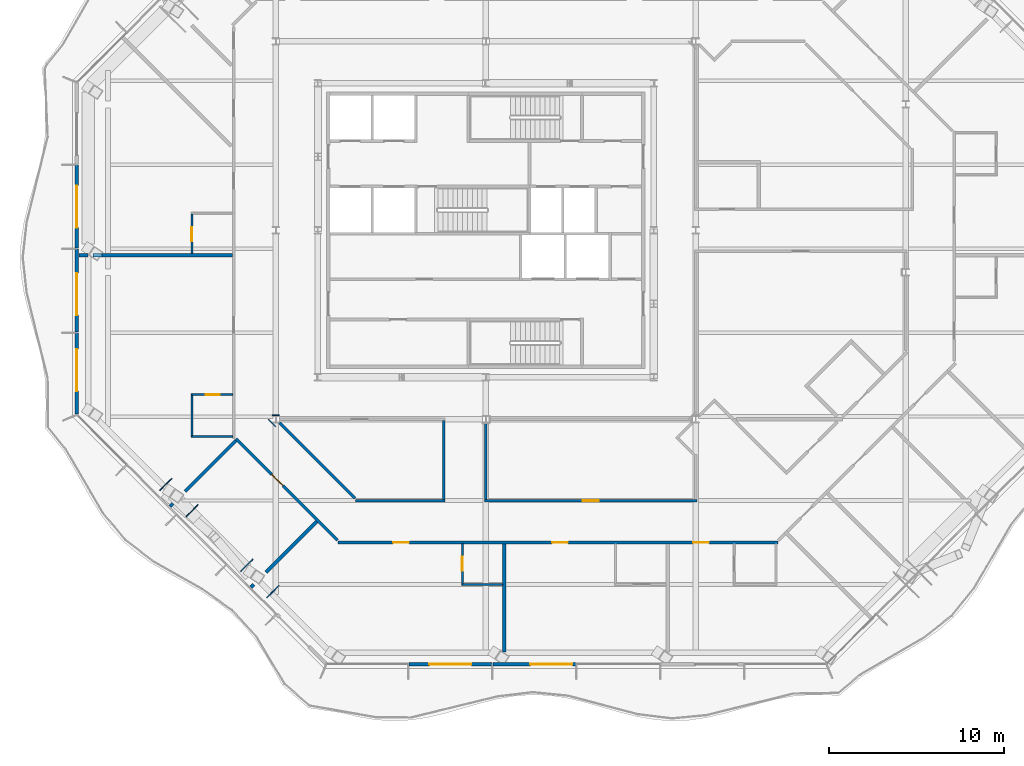
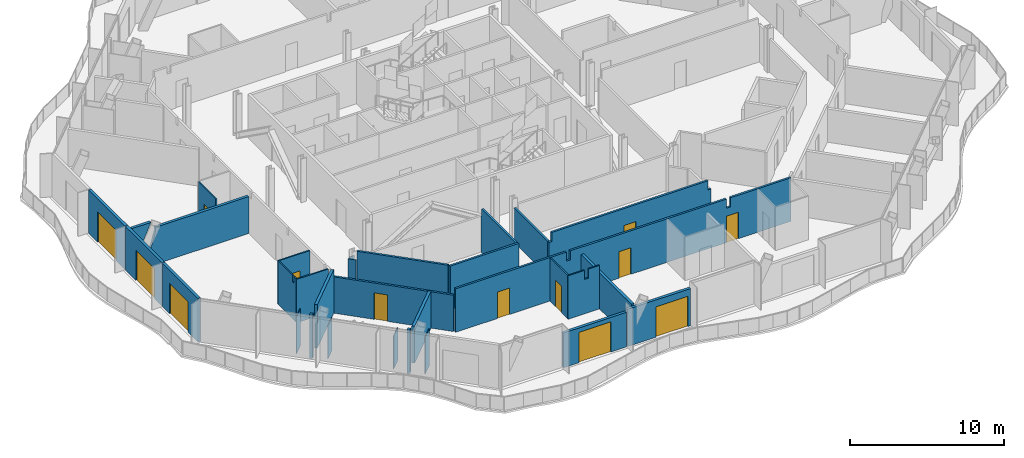
# One storey, part 7 of 19: 31 walls, 13 doors, 13 openings.
"""IFC4 building model written with IfcOpenShell, lengths in metres."""

from ifc_helpers import new_model, si_unit, direction, frame, frame_2d, origin, place, context, subcontext, project, spatial, polyline, rectangle, outline, extrude, material, layer, layer_set, type_object, element, fill, save


model = new_model("IFC4")

# Units and contexts
model_context = context("Model", 3, precision=1e-05, world=origin(), true_north=direction((0.0, 1.0)))
body_context = subcontext(model_context, "Body", "Model", "MODEL_VIEW")
ifc_project = project(units=[si_unit("LENGTHUNIT", "METRE"), si_unit("AREAUNIT", "SQUARE_METRE"), si_unit("VOLUMEUNIT", "CUBIC_METRE"), si_unit("PLANEANGLEUNIT", "RADIAN"), si_unit("MASSUNIT", "GRAM", prefix="KILO")], contexts=[model_context])

# Site, building, storey
site_placement = place(None, origin())
site = spatial("IfcSite", under=ifc_project, at=site_placement, CompositionType="ELEMENT")
building_placement = place(site_placement, origin())
building = spatial("IfcBuilding", under=site, at=building_placement, Name="Cairn Pilgrim Tower", CompositionType="ELEMENT")
storey_placement = place(building_placement, frame((0.0, 0.0, 190.199951171875)))
storey = spatial("IfcBuildingStorey", under=building, at=storey_placement, Name="L48", CompositionType="ELEMENT", Elevation=190.199951171875)

# Wall, opening, door
ifc_material_1 = material(Name="Bronze anodised aluminium insulated sandwich panel with mineral wool fill", Category="aluminium")
ifc_layer_1 = layer(ifc_material_1, 0.199951171875)
ifc_layer_set_1 = layer_set([ifc_layer_1], Name="BRONZE INFILL FRAME WALL 200")
wall_type_1 = type_object("IfcWallType", Name="BRONZE INFILL FRAME WALL 200", PredefinedType="NOTDEFINED", material=ifc_layer_set_1)
wall_1_placement = place(storey_placement, frame((2.804931640625, -22.39990234375, 0.0), z_axis=(0.0, 0.0, 1.0), x_axis=(1.0, 0.0, 0.0)))
wall_1 = element("IfcWall", 1, at=wall_1_placement, inside=storey, type_object=wall_type_1, Name="Bronze infill frame wall IW-S2", PredefinedType="NOTDEFINED", context=body_context, shape_type="SweptSolid", body=[
    extrude(rectangle(XDim=4.739990234375, YDim=0.199951171875, at=frame_2d((2.3701171875, 0.0))), origin(), (0.0, 0.0, 1.0), 2.75),
])
opening_1_placement = place(wall_1_placement, frame((1.169921875, 0.0, 0.0)))
opening_1 = element("IfcOpeningElement", 2, at=opening_1_placement, cuts=wall_1, Name="Opening 4818B2", PredefinedType="OPENING", context=body_context, shape_type="SweptSolid", body=[
    extrude(rectangle(XDim=2.39990234375, YDim=2.39990234375, at=frame_2d((1.199951171875, 1.199951171875))), frame((0.0, 0.10986328125, 0.0), z_axis=(0.0, -1.0, 0.0), x_axis=(1.0, 0.0, 0.0)), (0.0, 0.0, 1.0), 0.219970703125),
])
ifc_material_2 = material(Name="Bronze anodised aluminium frame with tinted low-E glass", Category="aluminium")
door_type_1 = type_object("IfcDoorType", Name="BALCONY SLIDING DOOR 2400x2400", OperationType="DOUBLE_DOOR_SLIDING", PredefinedType="DOOR", material=ifc_material_2)
door_1_placement = place(opening_1_placement, origin())
door_1 = element("IfcDoor", 3, at=door_1_placement, inside=storey, type_object=door_type_1, Name="Balcony sliding door 4818B2", OperationType="SINGLE_SWING_LEFT", OverallHeight=2.39990234375, OverallWidth=2.39990234375, PredefinedType="DOOR", context=body_context, shape_type="SweptSolid", body=[
    extrude(rectangle(XDim=2.39990234375, YDim=2.39990234375, at=frame_2d((1.199951171875, 1.199951171875))), frame((0.0, 0.02490234375, 0.0), z_axis=(0.0, -1.0, 0.0), x_axis=(1.0, 0.0, 0.0)), (0.0, 0.0, 1.0), 0.050048828125),
])
fill(opening_1, door_1)

wall_2_placement = place(storey_placement, frame((7.60498046875, -22.39990234375, 0.0), z_axis=(0.0, 0.0, 1.0), x_axis=(1.0, 0.0, 0.0)))
wall_2 = element("IfcWall", 4, at=wall_2_placement, inside=storey, type_object=wall_type_1, Name="Bronze infill frame wall IW-S3", PredefinedType="NOTDEFINED", context=body_context, shape_type="SweptSolid", body=[
    extrude(rectangle(XDim=4.739990234375, YDim=0.199951171875, at=frame_2d((2.3701171875, 0.0))), origin(), (0.0, 0.0, 1.0), 2.949951171875),
])
opening_2_placement = place(wall_2_placement, frame((2.139892578125, 0.0, 0.0)))
opening_2 = element("IfcOpeningElement", 5, at=opening_2_placement, cuts=wall_2, Name="Opening 4801B", PredefinedType="OPENING", context=body_context, shape_type="SweptSolid", body=[
    extrude(rectangle(XDim=2.39990234375, YDim=2.39990234375, at=frame_2d((1.199951171875, 1.199951171875))), frame((0.0, 0.10986328125, 0.0), z_axis=(0.0, -1.0, 0.0), x_axis=(1.0, 0.0, 0.0)), (0.0, 0.0, 1.0), 0.219970703125),
])
door_2_placement = place(opening_2_placement, origin())
door_2 = element("IfcDoor", 6, at=door_2_placement, inside=storey, type_object=door_type_1, Name="Balcony sliding door 4801B", OperationType="SINGLE_SWING_LEFT", OverallHeight=2.39990234375, OverallWidth=2.39990234375, PredefinedType="DOOR", context=body_context, shape_type="SweptSolid", body=[
    extrude(rectangle(XDim=2.39990234375, YDim=2.39990234375, at=frame_2d((1.199951171875, 1.199951171875))), frame((0.0, 0.02490234375, 0.0), z_axis=(0.0, -1.0, 0.0), x_axis=(1.0, 0.0, 0.0)), (0.0, 0.0, 1.0), 0.050048828125),
])
fill(opening_2, door_2)

wall_3_placement = place(storey_placement, frame((-16.175048828125, 6.1201171875, 0.0), z_axis=(0.0, 0.0, 1.0), x_axis=(0.0, -1.0, 0.0)))
wall_3 = element("IfcWall", 7, at=wall_3_placement, inside=storey, type_object=wall_type_1, Name="Bronze infill frame wall IW-W2", PredefinedType="NOTDEFINED", context=body_context, shape_type="SweptSolid", body=[
    extrude(rectangle(XDim=4.740234375, YDim=0.199951171875, at=frame_2d((2.3701171875, 0.0))), origin(), (0.0, 0.0, 1.0), 3.449951171875),
])
opening_3_placement = place(wall_3_placement, frame((1.169921875, 0.0, 0.0)))
opening_3 = element("IfcOpeningElement", 8, at=opening_3_placement, cuts=wall_3, Name="Opening 4815B2", PredefinedType="OPENING", context=body_context, shape_type="SweptSolid", body=[
    extrude(rectangle(XDim=2.39990234375, YDim=2.39990234375, at=frame_2d((1.199951171875, 1.199951171875))), frame((0.0, 0.10986328125, 0.0), z_axis=(0.0, -1.0, 0.0), x_axis=(1.0, 0.0, 0.0)), (0.0, 0.0, 1.0), 0.219970703125),
])
door_3_placement = place(opening_3_placement, origin())
door_3 = element("IfcDoor", 9, at=door_3_placement, inside=storey, type_object=door_type_1, Name="Balcony sliding door 4815B2", OperationType="SINGLE_SWING_LEFT", OverallHeight=2.39990234375, OverallWidth=2.39990234375, PredefinedType="DOOR", context=body_context, shape_type="SweptSolid", body=[
    extrude(rectangle(XDim=2.39990234375, YDim=2.39990234375, at=frame_2d((1.199951171875, 1.199951171875))), frame((0.0, 0.02490234375, 0.0), z_axis=(0.0, -1.0, 0.0), x_axis=(1.0, 0.0, 0.0)), (0.0, 0.0, 1.0), 0.050048828125),
])
fill(opening_3, door_3)

wall_4_placement = place(storey_placement, frame((-16.175048828125, 1.320068359375, 0.0), z_axis=(0.0, 0.0, 1.0), x_axis=(0.0, -1.0, 0.0)))
wall_4 = element("IfcWall", 10, at=wall_4_placement, inside=storey, type_object=wall_type_1, Name="Bronze infill frame wall IW-W3", PredefinedType="NOTDEFINED", context=body_context, shape_type="SweptSolid", body=[
    extrude(rectangle(XDim=4.739990234375, YDim=0.199951171875, at=frame_2d((2.3701171875, 0.0))), origin(), (0.0, 0.0, 1.0), 3.449951171875),
])
opening_4_placement = place(wall_4_placement, frame((1.3701171875, 0.0, 0.0)))
opening_4 = element("IfcOpeningElement", 11, at=opening_4_placement, cuts=wall_4, Name="Opening 4816B", PredefinedType="OPENING", context=body_context, shape_type="SweptSolid", body=[
    extrude(rectangle(XDim=2.39990234375, YDim=2.39990234375, at=frame_2d((1.199951171875, 1.199951171875))), frame((0.0, 0.10986328125, 0.0), z_axis=(0.0, -1.0, 0.0), x_axis=(1.0, 0.0, 0.0)), (0.0, 0.0, 1.0), 0.219970703125),
])
door_4_placement = place(opening_4_placement, origin())
door_4 = element("IfcDoor", 12, at=door_4_placement, inside=storey, type_object=door_type_1, Name="Balcony sliding door 4816B", OperationType="SINGLE_SWING_LEFT", OverallHeight=2.39990234375, OverallWidth=2.39990234375, PredefinedType="DOOR", context=body_context, shape_type="SweptSolid", body=[
    extrude(rectangle(XDim=2.39990234375, YDim=2.39990234375, at=frame_2d((1.199951171875, 1.199951171875))), frame((0.0, 0.02490234375, 0.0), z_axis=(0.0, -1.0, 0.0), x_axis=(1.0, 0.0, 0.0)), (0.0, 0.0, 1.0), 0.050048828125),
])
fill(opening_4, door_4)

wall_5_placement = place(storey_placement, frame((-16.175048828125, -3.47998046875, 0.0), z_axis=(0.0, 0.0, 1.0), x_axis=(0.0, -1.0, 0.0)))
wall_5 = element("IfcWall", 13, at=wall_5_placement, inside=storey, type_object=wall_type_1, Name="Bronze infill frame wall IW-W4", PredefinedType="NOTDEFINED", context=body_context, shape_type="SweptSolid", body=[
    extrude(rectangle(XDim=4.62646484375, YDim=0.199951171875, at=frame_2d((2.313232421875, 0.0))), origin(), (0.0, 0.0, 1.0), 3.449951171875),
])
opening_5_placement = place(wall_5_placement, frame((0.91796875, 0.0, 0.0)))
opening_5 = element("IfcOpeningElement", 14, at=opening_5_placement, cuts=wall_5, Name="Opening 4816B2", PredefinedType="OPENING", context=body_context, shape_type="SweptSolid", body=[
    extrude(rectangle(XDim=2.39990234375, YDim=2.39990234375, at=frame_2d((1.199951171875, 1.199951171875))), frame((0.0, 0.10986328125, 0.0), z_axis=(0.0, -1.0, 0.0), x_axis=(1.0, 0.0, 0.0)), (0.0, 0.0, 1.0), 0.219970703125),
])
door_5_placement = place(opening_5_placement, origin())
door_5 = element("IfcDoor", 15, at=door_5_placement, inside=storey, type_object=door_type_1, Name="Balcony sliding door 4816B2", OperationType="SINGLE_SWING_LEFT", OverallHeight=2.39990234375, OverallWidth=2.39990234375, PredefinedType="DOOR", context=body_context, shape_type="SweptSolid", body=[
    extrude(rectangle(XDim=2.39990234375, YDim=2.39990234375, at=frame_2d((1.199951171875, 1.199951171875))), frame((0.0, 0.02490234375, 0.0), z_axis=(0.0, -1.0, 0.0), x_axis=(1.0, 0.0, 0.0)), (0.0, 0.0, 1.0), 0.050048828125),
])
fill(opening_5, door_5)

# Wall
ifc_material_3 = material(Name="Gypsum partition")
ifc_layer_2 = layer(ifc_material_3, 0.10009765625)
ifc_layer_set_2 = layer_set([ifc_layer_2], Name="PARTITION 100 DRYWALL")
wall_type_2 = type_object("IfcWallType", Name="PARTITION 100 DRYWALL", PredefinedType="PARTITIONING", material=ifc_layer_set_2)
wall_6_placement = place(storey_placement, frame((5.81201171875, -17.85009765625, 0.0), z_axis=(0.0, 0.0, 1.0), x_axis=(1.0, 0.0, 0.0)))
element("IfcWall", 16, at=wall_6_placement, inside=storey, type_object=wall_type_2, Name="PARTITION W005", PredefinedType="PARTITIONING", context=body_context, shape_type="SweptSolid", body=[
    extrude(outline(polyline([(0.0, 0.0), (2.35009765625, 0.0), (2.35009765625, 3.449951171875), (1.5380859375, 3.449951171875), (1.535888671875, 2.72998046875), (1.238037109375, 2.72998046875), (1.236083984375, 3.449951171875), (0.0, 3.449951171875), (0.0, 0.0)])), frame((0.0, 0.050048828125, 0.0), z_axis=(0.0, -1.0, 0.0), x_axis=(1.0, 0.0, 0.0)), (0.0, 0.0, 1.0), 0.10009765625),
])

# Wall, opening, door
wall_7_placement = place(storey_placement, frame((5.862060546875, -17.800048828125, 0.0), z_axis=(0.0, 0.0, 1.0), x_axis=(0.0, 1.0, 0.0)))
wall_7 = element("IfcWall", 17, at=wall_7_placement, inside=storey, type_object=wall_type_2, Name="PARTITION W008", PredefinedType="PARTITIONING", context=body_context, shape_type="SweptSolid", body=[
    extrude(rectangle(XDim=2.275146484375, YDim=0.10009765625, at=frame_2d((1.1376953125, 0.0))), origin(), (0.0, 0.0, 1.0), 3.449951171875),
])
opening_6_placement = place(wall_7_placement, frame((0.75, 0.0, 0.0)))
opening_6 = element("IfcOpeningElement", 18, at=opening_6_placement, cuts=wall_7, Name="Opening 4818A", PredefinedType="OPENING", context=body_context, shape_type="SweptSolid", body=[
    extrude(rectangle(XDim=0.800048828125, YDim=2.10009765625, at=frame_2d((0.39990234375, 1.050048828125))), frame((0.0, 0.06005859375, 0.0), z_axis=(0.0, -1.0, 0.0), x_axis=(1.0, 0.0, 0.0)), (0.0, 0.0, 1.0), 0.1201171875),
])
ifc_material_4 = material(Name="Timber door leaf", Category="wood")
door_type_2 = type_object("IfcDoorType", Name="WC DOOR 800x2100", OperationType="NOTDEFINED", PredefinedType="DOOR", material=ifc_material_4)
door_6_placement = place(opening_6_placement, origin())
door_6 = element("IfcDoor", 19, at=door_6_placement, inside=storey, type_object=door_type_2, Name="DOOR 4818A", OperationType="SINGLE_SWING_LEFT", OverallHeight=2.10009765625, OverallWidth=0.800048828125, PredefinedType="DOOR", context=body_context, shape_type="SweptSolid", body=[
    extrude(rectangle(XDim=0.800048828125, YDim=2.10009765625, at=frame_2d((0.39990234375, 1.050048828125))), frame((0.0, 0.02490234375, 0.0), z_axis=(0.0, -1.0, 0.0), x_axis=(1.0, 0.0, 0.0)), (0.0, 0.0, 1.0), 0.050048828125),
])
fill(opening_6, door_6)

# Walls
wall_8_placement = place(storey_placement, frame((-9.64990234375, -9.39404296875, 0.0), z_axis=(0.0, 0.0, 1.0), x_axis=(1.0, 0.0, 0.0)))
element("IfcWall", 20, at=wall_8_placement, inside=storey, type_object=wall_type_2, Name="PARTITION W033", PredefinedType="PARTITIONING", context=body_context, shape_type="SweptSolid", body=[
    extrude(rectangle(XDim=2.375, YDim=0.10009765625, at=frame_2d((1.1875, 0.0))), origin(), (0.0, 0.0, 1.0), 3.449951171875),
])
wall_9_placement = place(storey_placement, frame((-9.60009765625, -9.343994140625, 0.0), z_axis=(0.0, 0.0, 1.0), x_axis=(0.0, 1.0, 0.0)))
element("IfcWall", 21, at=wall_9_placement, inside=storey, type_object=wall_type_2, Name="PARTITION W034", PredefinedType="PARTITIONING", context=body_context, shape_type="SweptSolid", body=[
    extrude(outline(polyline([(0.0, 0.0), (2.300048828125, 0.0), (2.300048828125, 3.449951171875), (0.444091796875, 3.449951171875), (0.44189453125, 2.929931640625), (0.243896484375, 2.929931640625), (0.241943359375, 3.449951171875), (0.0, 3.449951171875), (0.0, 0.0)])), frame((0.0, 0.050048828125, 0.0), z_axis=(0.0, -1.0, 0.0), x_axis=(1.0, 0.0, 0.0)), (0.0, 0.0, 1.0), 0.10009765625),
])

# Wall, opening, door
wall_10_placement = place(storey_placement, frame((-9.64990234375, -6.993896484375, 0.0), z_axis=(0.0, 0.0, 1.0), x_axis=(1.0, 0.0, 0.0)))
wall_10 = element("IfcWall", 22, at=wall_10_placement, inside=storey, type_object=wall_type_2, Name="PARTITION W044", PredefinedType="PARTITIONING", context=body_context, shape_type="SweptSolid", body=[
    extrude(rectangle(XDim=2.375, YDim=0.10009765625, at=frame_2d((1.1875, 0.0))), origin(), (0.0, 0.0, 1.0), 3.449951171875),
])
opening_7_placement = place(wall_10_placement, frame((0.85009765625, 0.0, 0.0)))
opening_7 = element("IfcOpeningElement", 23, at=opening_7_placement, cuts=wall_10, Name="Opening 4816A", PredefinedType="OPENING", context=body_context, shape_type="SweptSolid", body=[
    extrude(rectangle(XDim=0.800048828125, YDim=2.10009765625, at=frame_2d((0.39990234375, 1.050048828125))), frame((0.0, 0.06005859375, 0.0), z_axis=(0.0, -1.0, 0.0), x_axis=(1.0, 0.0, 0.0)), (0.0, 0.0, 1.0), 0.1201171875),
])
door_7_placement = place(opening_7_placement, origin())
door_7 = element("IfcDoor", 24, at=door_7_placement, inside=storey, type_object=door_type_2, Name="DOOR 4816A", OperationType="SINGLE_SWING_LEFT", OverallHeight=2.10009765625, OverallWidth=0.800048828125, PredefinedType="DOOR", context=body_context, shape_type="SweptSolid", body=[
    extrude(rectangle(XDim=0.800048828125, YDim=2.10009765625, at=frame_2d((0.39990234375, 1.050048828125))), frame((0.0, 0.02490234375, 0.0), z_axis=(0.0, -1.0, 0.0), x_axis=(1.0, 0.0, 0.0)), (0.0, 0.0, 1.0), 0.050048828125),
])
fill(opening_7, door_7)

wall_11_placement = place(storey_placement, frame((-9.60009765625, 1.074951171875, 0.0), z_axis=(0.0, 0.0, 1.0), x_axis=(0.0, 1.0, 0.0)))
wall_11 = element("IfcWall", 25, at=wall_11_placement, inside=storey, type_object=wall_type_2, Name="PARTITION W056", PredefinedType="PARTITIONING", context=body_context, shape_type="SweptSolid", body=[
    extrude(rectangle(XDim=2.25, YDim=0.10009765625, at=frame_2d((1.125, 0.0))), origin(), (0.0, 0.0, 1.0), 3.449951171875),
])
opening_8_placement = place(wall_11_placement, frame((0.699951171875, 0.0, 0.0)))
opening_8 = element("IfcOpeningElement", 26, at=opening_8_placement, cuts=wall_11, Name="Opening 4815A", PredefinedType="OPENING", context=body_context, shape_type="SweptSolid", body=[
    extrude(rectangle(XDim=0.800048828125, YDim=2.10009765625, at=frame_2d((0.39990234375, 1.050048828125))), frame((0.0, 0.06005859375, 0.0), z_axis=(0.0, -1.0, 0.0), x_axis=(1.0, 0.0, 0.0)), (0.0, 0.0, 1.0), 0.1201171875),
])
door_8_placement = place(opening_8_placement, origin())
door_8 = element("IfcDoor", 27, at=door_8_placement, inside=storey, type_object=door_type_2, Name="DOOR 4815A", OperationType="SINGLE_SWING_LEFT", OverallHeight=2.10009765625, OverallWidth=0.800048828125, PredefinedType="DOOR", context=body_context, shape_type="SweptSolid", body=[
    extrude(rectangle(XDim=0.800048828125, YDim=2.10009765625, at=frame_2d((0.39990234375, 1.050048828125))), frame((0.0, 0.02490234375, 0.0), z_axis=(0.0, -1.0, 0.0), x_axis=(1.0, 0.0, 0.0)), (0.0, 0.0, 1.0), 0.050048828125),
])
fill(opening_8, door_8)

# Wall, openings, doors
ifc_layer_3 = layer(ifc_material_3, 0.14990234375)
ifc_layer_set_3 = layer_set([ifc_layer_3], Name="PARTITION 150 DRYWALL EI 60")
wall_type_3 = type_object("IfcWallType", Name="PARTITION 150 DRYWALL EI 60", PredefinedType="PARTITIONING", material=ifc_layer_set_3)
wall_12_placement = place(storey_placement, frame((-1.25, -15.449951171875, 0.0), z_axis=(0.0, 0.0, 1.0), x_axis=(1.0, 0.0, 0.0)))
wall_12 = element("IfcWall", 28, at=wall_12_placement, inside=storey, type_object=wall_type_3, Name="PARTITION W014", PredefinedType="PARTITIONING", context=body_context, shape_type="SweptSolid", body=[
    extrude(outline(polyline([(0.0, 0.0), (25.148681640625, 0.0), (25.14892578125, 3.449951171875), (20.60009765625, 3.449951171875), (20.59814453125, 2.72998046875), (20.300048828125, 2.72998046875), (20.298095703125, 3.449951171875), (8.60009765625, 3.449951171875), (8.59814453125, 2.72998046875), (8.300048828125, 2.72998046875), (8.298095703125, 3.449951171875), (0.0, 3.449951171875), (0.0, 0.0)])), frame((0.0, 0.074951171875, 0.0), z_axis=(0.0, -1.0, 0.0), x_axis=(1.0, 0.0, 0.0)), (0.0, 0.0, 1.0), 0.14990234375),
])
opening_9_placement = place(wall_12_placement, frame((12.237060546875, 0.0, 0.0)))
opening_9 = element("IfcOpeningElement", 29, at=opening_9_placement, cuts=wall_12, Name="Opening 4801", PredefinedType="OPENING", context=body_context, shape_type="SweptSolid", body=[
    extrude(rectangle(XDim=0.89990234375, YDim=2.10009765625, at=frame_2d((0.449951171875, 1.050048828125))), frame((0.0, 0.0849609375, 0.0), z_axis=(0.0, -1.0, 0.0), x_axis=(1.0, 0.0, 0.0)), (0.0, 0.0, 1.0), 0.169921875),
])
opening_10_placement = place(wall_12_placement, frame((20.302978515625, 0.0, 0.0)))
opening_10 = element("IfcOpeningElement", 30, at=opening_10_placement, cuts=wall_12, Name="Opening 4802", PredefinedType="OPENING", context=body_context, shape_type="SweptSolid", body=[
    extrude(rectangle(XDim=0.89990234375, YDim=2.10009765625, at=frame_2d((0.449951171875, 1.050048828125))), frame((0.0, 0.0849609375, 0.0), z_axis=(0.0, -1.0, 0.0), x_axis=(1.0, 0.0, 0.0)), (0.0, 0.0, 1.0), 0.169921875),
])
opening_11_placement = place(wall_12_placement, frame((3.1591796875, 0.0, 0.0)))
opening_11 = element("IfcOpeningElement", 31, at=opening_11_placement, cuts=wall_12, Name="Opening 4818", PredefinedType="OPENING", context=body_context, shape_type="SweptSolid", body=[
    extrude(rectangle(XDim=0.89990234375, YDim=2.10009765625, at=frame_2d((0.449951171875, 1.050048828125))), frame((0.0, 0.0849609375, 0.0), z_axis=(0.0, -1.0, 0.0), x_axis=(1.0, 0.0, 0.0)), (0.0, 0.0, 1.0), 0.169921875),
])
door_type_3 = type_object("IfcDoorType", Name="ROOM DOOR 900x2100 FD30S", OperationType="NOTDEFINED", PredefinedType="DOOR", material=ifc_material_4)
door_9_placement = place(opening_9_placement, frame((0.89990234375, 0.0, 0.0), z_axis=(0.0, 0.0, 1.0), x_axis=(-1.0, 0.0, 0.0)))
door_9 = element("IfcDoor", 32, at=door_9_placement, inside=storey, type_object=door_type_3, Name="DOOR 4801", OperationType="SINGLE_SWING_RIGHT", OverallHeight=2.10009765625, OverallWidth=0.89990234375, PredefinedType="DOOR", context=body_context, shape_type="SweptSolid", body=[
    extrude(rectangle(XDim=0.89990234375, YDim=2.10009765625, at=frame_2d((0.449951171875, 1.050048828125))), frame((0.0, 0.02490234375, 0.0), z_axis=(0.0, -1.0, 0.0), x_axis=(1.0, 0.0, 0.0)), (0.0, 0.0, 1.0), 0.050048828125),
])
fill(opening_9, door_9)
door_10_placement = place(opening_10_placement, frame((0.89990234375, 0.0, 0.0), z_axis=(0.0, 0.0, 1.0), x_axis=(-1.0, 0.0, 0.0)))
door_10 = element("IfcDoor", 33, at=door_10_placement, inside=storey, type_object=door_type_3, Name="DOOR 4802", OperationType="SINGLE_SWING_RIGHT", OverallHeight=2.10009765625, OverallWidth=0.89990234375, PredefinedType="DOOR", context=body_context, shape_type="SweptSolid", body=[
    extrude(rectangle(XDim=0.89990234375, YDim=2.10009765625, at=frame_2d((0.449951171875, 1.050048828125))), frame((0.0, 0.02490234375, 0.0), z_axis=(0.0, -1.0, 0.0), x_axis=(1.0, 0.0, 0.0)), (0.0, 0.0, 1.0), 0.050048828125),
])
fill(opening_10, door_10)
door_11_placement = place(opening_11_placement, frame((0.89990234375, 0.0, 0.0), z_axis=(0.0, 0.0, 1.0), x_axis=(-1.0, 0.0, 0.0)))
door_11 = element("IfcDoor", 34, at=door_11_placement, inside=storey, type_object=door_type_3, Name="DOOR 4818", OperationType="SINGLE_SWING_LEFT", OverallHeight=2.10009765625, OverallWidth=0.89990234375, PredefinedType="DOOR", context=body_context, shape_type="SweptSolid", body=[
    extrude(rectangle(XDim=0.89990234375, YDim=2.10009765625, at=frame_2d((0.449951171875, 1.050048828125))), frame((0.0, 0.02490234375, 0.0), z_axis=(0.0, -1.0, 0.0), x_axis=(1.0, 0.0, 0.0)), (0.0, 0.0, 1.0), 0.050048828125),
])
fill(opening_11, door_11)

# Wall, opening, door
wall_13_placement = place(storey_placement, frame((-1.27197265625, -15.322021484375, 0.0), z_axis=(0.0, 0.0, 1.0), x_axis=(-0.707121663415, 0.707091898644, 0.0)))
wall_13 = element("IfcWall", 35, at=wall_13_placement, inside=storey, type_object=wall_type_3, Name="PARTITION W015", PredefinedType="PARTITIONING", context=body_context, shape_type="SweptSolid", body=[
    extrude(rectangle(XDim=8.202392578125, YDim=0.14990234375, at=frame_2d((4.10107421875, 0.0))), origin(), (0.0, 0.0, 1.0), 2.880126953125),
])
opening_12_placement = place(wall_13_placement, frame((4.4208984375, 0.0, 0.0)))
opening_12 = element("IfcOpeningElement", 36, at=opening_12_placement, cuts=wall_13, Name="Opening 4817", PredefinedType="OPENING", context=body_context, shape_type="SweptSolid", body=[
    extrude(rectangle(XDim=0.89990234375, YDim=2.10009765625, at=frame_2d((0.449951171875, 1.050048828125))), frame((0.0, 0.0849609375, 0.0), z_axis=(0.0, -1.0, 0.0), x_axis=(1.0, 0.0, 0.0)), (0.0, 0.0, 1.0), 0.169921875),
])
door_type_4 = type_object("IfcDoorType", Name="SERVICE DOOR 900x2100 FD30S", OperationType="NOTDEFINED", PredefinedType="DOOR", material=ifc_material_4)
door_12_placement = place(opening_12_placement, origin())
door_12 = element("IfcDoor", 37, at=door_12_placement, inside=storey, type_object=door_type_4, Name="DOOR 4817", OperationType="SINGLE_SWING_LEFT", OverallHeight=2.10009765625, OverallWidth=0.89990234375, PredefinedType="DOOR", context=body_context, shape_type="SweptSolid", body=[
    extrude(rectangle(XDim=0.89990234375, YDim=2.10009765625, at=frame_2d((0.449951171875, 1.050048828125))), frame((0.0, 0.02490234375, 0.0), z_axis=(0.0, -1.0, 0.0), x_axis=(1.0, 0.0, 0.0)), (0.0, 0.0, 1.0), 0.050048828125),
])
fill(opening_12, door_12)

# Wall
wall_14_placement = place(storey_placement, frame((-0.256103515625, -13.050048828125, 0.0), z_axis=(0.0, 0.0, 1.0), x_axis=(1.0, 0.0, 0.0)))
element("IfcWall", 38, at=wall_14_placement, inside=storey, type_object=wall_type_3, Name="PARTITION W020", PredefinedType="PARTITIONING", context=body_context, shape_type="SweptSolid", body=[
    extrude(rectangle(XDim=5.131103515625, YDim=0.14990234375, at=frame_2d((2.5654296875, 0.0))), origin(), (0.0, 0.0, 1.0), 3.449951171875),
])

# Wall, opening, door
wall_15_placement = place(storey_placement, frame((7.125, -13.050048828125, 0.0), z_axis=(0.0, 0.0, 1.0), x_axis=(1.0, 0.0, 0.0)))
wall_15 = element("IfcWall", 39, at=wall_15_placement, inside=storey, type_object=wall_type_3, Name="PARTITION W021", PredefinedType="PARTITIONING", context=body_context, shape_type="SweptSolid", body=[
    extrude(outline(polyline([(0.0, 0.0), (12.14990234375, 0.0), (12.14990234375, 2.72998046875), (11.925048828125, 2.72998046875), (11.923095703125, 3.449951171875), (0.22509765625, 3.449951171875), (0.222900390625, 2.72998046875), (0.0, 2.72998046875), (0.0, 0.0)])), frame((0.0, 0.074951171875, 0.0), z_axis=(0.0, -1.0, 0.0), x_axis=(1.0, 0.0, 0.0)), (0.0, 0.0, 1.0), 0.14990234375),
])
opening_13_placement = place(wall_15_placement, frame((5.625, 0.0, 0.0)))
opening_13 = element("IfcOpeningElement", 40, at=opening_13_placement, cuts=wall_15, Name="Opening 4821", PredefinedType="OPENING", context=body_context, shape_type="SweptSolid", body=[
    extrude(rectangle(XDim=0.89990234375, YDim=2.10009765625, at=frame_2d((0.449951171875, 1.050048828125))), frame((0.0, 0.0849609375, 0.0), z_axis=(0.0, -1.0, 0.0), x_axis=(1.0, 0.0, 0.0)), (0.0, 0.0, 1.0), 0.169921875),
])
door_13_placement = place(opening_13_placement, origin())
door_13 = element("IfcDoor", 41, at=door_13_placement, inside=storey, type_object=door_type_4, Name="DOOR 4821", OperationType="SINGLE_SWING_RIGHT", OverallHeight=2.10009765625, OverallWidth=0.89990234375, PredefinedType="DOOR", context=body_context, shape_type="SweptSolid", body=[
    extrude(rectangle(XDim=0.89990234375, YDim=2.10009765625, at=frame_2d((0.449951171875, 1.050048828125))), frame((0.0, 0.02490234375, 0.0), z_axis=(0.0, -1.0, 0.0), x_axis=(1.0, 0.0, 0.0)), (0.0, 0.0, 1.0), 0.050048828125),
])
fill(opening_13, door_13)

# Walls
wall_16_placement = place(storey_placement, frame((4.800048828125, -12.97509765625, 0.0), z_axis=(0.0, 0.0, 1.0), x_axis=(0.0, 1.0, 0.0)))
element("IfcWall", 42, at=wall_16_placement, inside=storey, type_object=wall_type_3, Name="PARTITION W022", PredefinedType="PARTITIONING", context=body_context, shape_type="SweptSolid", body=[
    extrude(outline(polyline([(0.0, 0.0), (4.5, 0.0), (4.5, 2.830078125), (4.425048828125, 2.830078125), (4.423095703125, 3.449951171875), (0.0, 3.449951171875), (0.0, 0.0)])), frame((0.0, 0.074951171875, 0.0), z_axis=(0.0, -1.0, 0.0), x_axis=(1.0, 0.0, 0.0)), (0.0, 0.0, 1.0), 0.14990234375),
])
wall_17_placement = place(storey_placement, frame((7.199951171875, -12.97509765625, 0.0), z_axis=(0.0, 0.0, 1.0), x_axis=(0.0, 1.0, 0.0)))
element("IfcWall", 43, at=wall_17_placement, inside=storey, type_object=wall_type_3, Name="PARTITION W023", PredefinedType="PARTITIONING", context=body_context, shape_type="SweptSolid", body=[
    extrude(rectangle(XDim=4.378662109375, YDim=0.14990234375, at=frame_2d((2.189453125, 0.0))), origin(), (0.0, 0.0, 1.0), 2.72998046875),
])
wall_18_placement = place(storey_placement, frame((-0.278076171875, -12.922119140625, 0.0), z_axis=(0.0, 0.0, 1.0), x_axis=(-0.707086819106, 0.707126742703, 0.0)))
element("IfcWall", 44, at=wall_18_placement, inside=storey, type_object=wall_type_3, Name="PARTITION W025", PredefinedType="PARTITIONING", context=body_context, shape_type="SweptSolid", body=[
    extrude(rectangle(XDim=6.115234375, YDim=0.14990234375, at=frame_2d((3.0576171875, 0.0))), origin(), (0.0, 0.0, 1.0), 3.449951171875),
])
ifc_layer_4 = layer(ifc_material_3, 0.050048828125)
ifc_layer_set_4 = layer_set([ifc_layer_4], Name="PARTITION 50 DRYWALL EI 60")
wall_type_4 = type_object("IfcWallType", Name="PARTITION 50 DRYWALL EI 60", PredefinedType="PARTITIONING", material=ifc_layer_set_4)
wall_19_placement = place(storey_placement, frame((-6.810302734375, -17.0966796875, 0.0), z_axis=(0.0, 0.0, 1.0), x_axis=(0.706982081995, 0.707231458391, 0.0)))
element("IfcWall", 45, at=wall_19_placement, inside=storey, type_object=wall_type_4, Name="COLUMN CASING WC01", PredefinedType="PARTITIONING", context=body_context, shape_type="SweptSolid", body=[
    extrude(rectangle(XDim=0.97900390625, YDim=0.050048828125, at=frame_2d((0.489501953125, 0.0))), origin(), (0.0, 0.0, 1.0), 2.630126953125),
])
for number, where, z_axis, x_axis, name in (
    (46, (-5.309814453125, -18.596923828125, 0.0), (0.0, 0.0, 1.0), (0.707106781187, 0.707106781187, 0.0), "COLUMN CASING WC02"),
    (47, (-11.4345703125, -12.472412109375, 0.0), (0.0, 0.0, 1.0), (0.707106781187, 0.707106781187, 0.0), "COLUMN CASING WC05"),
):
    element("IfcWall", number, at=place(storey_placement, frame(where, z_axis=z_axis, x_axis=x_axis)), inside=storey, type_object=wall_type_4, Name=name, PredefinedType="PARTITIONING", context=body_context, shape_type="SweptSolid", body=[
        extrude(rectangle(XDim=0.978759765625, YDim=0.050048828125, at=frame_2d((0.4892578125, 0.0))), origin(), (0.0, 0.0, 1.0), 2.929931640625),
    ])
wall_20_placement = place(storey_placement, frame((-9.93408203125, -13.972900390625, 0.0), z_axis=(0.0, 0.0, 1.0), x_axis=(0.707106781187, 0.707106781187, 0.0)))
element("IfcWall", 48, at=wall_20_placement, inside=storey, type_object=wall_type_4, Name="COLUMN CASING WC06", PredefinedType="PARTITIONING", context=body_context, shape_type="SweptSolid", body=[
    extrude(rectangle(XDim=0.979248046875, YDim=0.050048828125, at=frame_2d((0.48974609375, 0.0))), origin(), (0.0, 0.0, 1.0), 2.630126953125),
])
wall_21_placement = place(storey_placement, frame((-4.817626953125, -8.813720703125, 0.0), z_axis=(0.0, 0.0, 1.0), x_axis=(-0.707106781187, 0.707106781187, 0.0)))
element("IfcWall", 49, at=wall_21_placement, inside=storey, type_object=wall_type_4, Name="COLUMN CASING WC08", PredefinedType="PARTITIONING", context=body_context, shape_type="SweptSolid", body=[
    extrude(rectangle(XDim=0.56005859375, YDim=0.050048828125, at=frame_2d((0.280029296875, 0.0))), origin(), (0.0, 0.0, 1.0), 2.929931640625),
])
wall_22_placement = place(storey_placement, frame((-4.99951171875, -8.178466796875, 0.0), z_axis=(0.0, 0.0, 1.0), x_axis=(1.0, 0.0, 0.0)))
element("IfcWall", 50, at=wall_22_placement, inside=storey, type_object=wall_type_4, Name="COLUMN CASING WC10", PredefinedType="PARTITIONING", context=body_context, shape_type="SweptSolid", body=[
    extrude(rectangle(XDim=0.39892578125, YDim=0.050048828125, at=frame_2d((0.199462890625, 0.0))), origin(), (0.0, 0.0, 1.0), 2.830078125),
])
ifc_layer_5 = layer(ifc_material_3, 0.199951171875)
ifc_layer_set_5 = layer_set([ifc_layer_5], Name="SHAFT WALL 200 GYPSUM EI 60")
wall_type_5 = type_object("IfcWallType", Name="SHAFT WALL 200 GYPSUM EI 60", PredefinedType="PARTITIONING", material=ifc_layer_set_5)
wall_23_placement = place(storey_placement, frame((8.261962890625, -22.03173828125, 0.0), z_axis=(0.0, 0.0, 1.0), x_axis=(0.0, 1.0, 0.0)))
element("IfcWall", 51, at=wall_23_placement, inside=storey, type_object=wall_type_5, Name="PARTITION W001", PredefinedType="PARTITIONING", context=body_context, shape_type="SweptSolid", body=[
    extrude(outline(polyline([(0.333740234375, 0.0), (6.506591796875, 0.0), (6.506591796875, 0.862548828125), (6.506591796875, 1.72509765625), (6.506591796875, 2.587646484375), (6.506591796875, 2.880126953125), (0.0, 2.880126953125), (0.0, 2.587646484375), (0.318603515625, 1.72509765625), (0.333740234375, 0.862548828125), (0.333740234375, 0.0)])), frame((0.0, 0.10009765625, 0.0), z_axis=(0.0, -1.0, 0.0), x_axis=(1.0, 0.0, 0.0)), (0.0, 0.0, 1.0), 0.199951171875),
])
wall_24_placement = place(storey_placement, frame((-6.224853515625, -18.01171875, 0.0), z_axis=(0.0, 0.0, 1.0), x_axis=(0.707106781187, 0.707106781187, 0.0)))
element("IfcWall", 52, at=wall_24_placement, inside=storey, type_object=wall_type_5, Name="PARTITION W004", PredefinedType="PARTITIONING", context=body_context, shape_type="SweptSolid", body=[
    extrude(rectangle(XDim=0.233154296875, YDim=0.199951171875, at=frame_2d((0.11669921875, 0.0))), origin(), (0.0, 0.0, 1.0), 3.449951171875),
])
wall_25_placement = place(storey_placement, frame((-5.367919921875, -17.154541015625, 0.0), z_axis=(0.0, 0.0, 1.0), x_axis=(0.707047477561, 0.707166079839, 0.0)))
element("IfcWall", 53, at=wall_25_placement, inside=storey, type_object=wall_type_5, Name="PARTITION W012", PredefinedType="PARTITIONING", context=body_context, shape_type="SweptSolid", body=[
    extrude(rectangle(XDim=4.116943359375, YDim=0.199951171875, at=frame_2d((2.05859375, 0.0))), origin(), (0.0, 0.0, 1.0), 2.929931640625),
])
wall_26_placement = place(storey_placement, frame((-10.848876953125, -13.3876953125, 0.0), z_axis=(0.0, 0.0, 1.0), x_axis=(0.707106781187, 0.707106781187, 0.0)))
element("IfcWall", 54, at=wall_26_placement, inside=storey, type_object=wall_type_5, Name="PARTITION W019", PredefinedType="PARTITIONING", context=body_context, shape_type="SweptSolid", body=[
    extrude(rectangle(XDim=0.233154296875, YDim=0.199951171875, at=frame_2d((0.11669921875, 0.0))), origin(), (0.0, 0.0, 1.0), 3.449951171875),
])
wall_27_placement = place(storey_placement, frame((-9.99169921875, -12.530517578125, 0.0), z_axis=(0.0, 0.0, 1.0), x_axis=(0.707017820153, 0.707195731029, 0.0)))
element("IfcWall", 55, at=wall_27_placement, inside=storey, type_object=wall_type_5, Name="PARTITION W026", PredefinedType="PARTITIONING", context=body_context, shape_type="SweptSolid", body=[
    extrude(rectangle(XDim=4.11669921875, YDim=0.199951171875, at=frame_2d((2.058349609375, 0.0))), origin(), (0.0, 0.0, 1.0), 3.449951171875),
])
wall_28_placement = place(storey_placement, frame((-16.044921875, 0.97509765625, 0.0), z_axis=(0.0, 0.0, 1.0), x_axis=(1.0, 0.0, 0.0)))
element("IfcWall", 56, at=wall_28_placement, inside=storey, type_object=wall_type_5, Name="PARTITION W053", PredefinedType="PARTITIONING", context=body_context, shape_type="SweptSolid", body=[
    extrude(outline(polyline([(0.0, 0.0), (0.3916015625, 0.0), (0.4033203125, 0.862548828125), (0.6728515625, 1.72509765625), (1.053955078125, 2.587646484375), (1.443115234375, 3.449951171875), (0.0, 3.449951171875), (0.0, 2.587646484375), (0.0, 1.72509765625), (0.0, 0.862548828125), (0.0, 0.0)])), frame((0.0, 0.10009765625, 0.0), z_axis=(0.0, -1.0, 0.0), x_axis=(1.0, 0.0, 0.0)), (0.0, 0.0, 1.0), 0.199951171875),
])
wall_29_placement = place(storey_placement, frame((-15.255615234375, 0.97509765625, 0.0), z_axis=(0.0, 0.0, 1.0), x_axis=(1.0, 0.0, 0.0)))
element("IfcWall", 57, at=wall_29_placement, inside=storey, type_object=wall_type_5, Name="PARTITION W054", PredefinedType="PARTITIONING", context=body_context, shape_type="SweptSolid", body=[
    extrude(outline(polyline([(0.0, 0.0), (7.98046875, 0.0), (7.98046875, 0.862548828125), (7.98046875, 1.72509765625), (7.98046875, 2.587646484375), (7.98046875, 2.929931640625), (0.98388671875, 2.929931640625), (0.98388671875, 2.587646484375), (0.74951171875, 1.72509765625), (0.389404296875, 0.862548828125), (0.0, 0.0)])), frame((0.0, 0.10009765625, 0.0), z_axis=(0.0, -1.0, 0.0), x_axis=(1.0, 0.0, 0.0)), (0.0, 0.0, 1.0), 0.199951171875),
])

save(model, "model.ifc")
